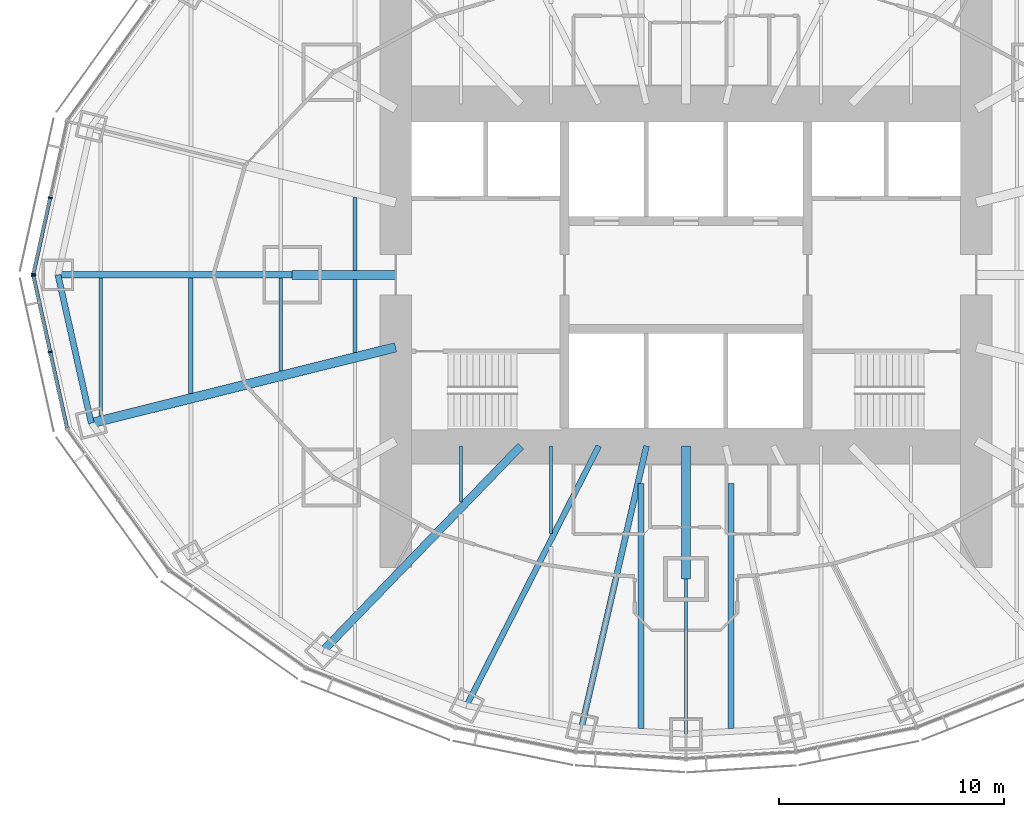
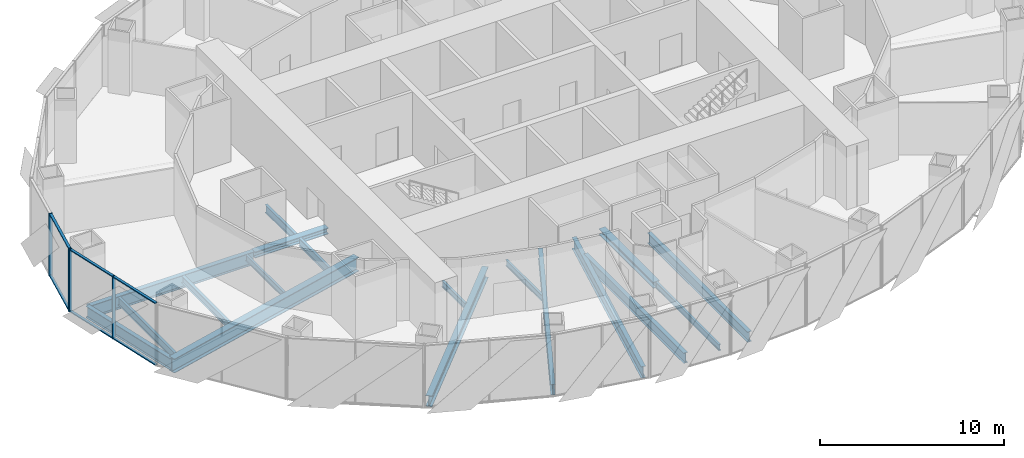
# One storey, part 3 of 18: 18 beams, 10 members, 2 elements without a shape of their own.
"""IFC4 building model written with IfcOpenShell, lengths in metres."""

from ifc_helpers import new_model, si_unit, direction, frame, origin, origin_2d, place, context, subcontext, project, spatial, rectangle, i_section, extrude, material, material_profile, profile_set, type_object, element, aggregate, save


model = new_model("IFC4")

# Units and contexts
model_context = context("Model", 3, precision=1e-05, world=origin(), true_north=direction((0.0, 1.0)))
body_context = subcontext(model_context, "Body", "Model", "MODEL_VIEW")
ifc_project = project(units=[si_unit("LENGTHUNIT", "METRE"), si_unit("AREAUNIT", "SQUARE_METRE"), si_unit("VOLUMEUNIT", "CUBIC_METRE"), si_unit("PLANEANGLEUNIT", "RADIAN"), si_unit("MASSUNIT", "GRAM", prefix="KILO")], contexts=[model_context])

# Site, building, storey
site_placement = place(None, origin())
site = spatial("IfcSite", under=ifc_project, at=site_placement, CompositionType="ELEMENT")
building_placement = place(site_placement, origin())
building = spatial("IfcBuilding", under=site, at=building_placement, Name="Lantaw Convention Tower", CompositionType="ELEMENT")
storey_placement = place(building_placement, frame((0.0, 0.0, 146.800048828125)))
storey = spatial("IfcBuildingStorey", under=building, at=storey_placement, Name="L34", CompositionType="ELEMENT", Elevation=146.800048828125)

# Beams
ifc_material_1 = material(Name="Steel ASTM A992", Category="steel")
ifc_material_profile_1 = material_profile(ifc_material_1, i_section(OverallWidth=0.2666015625, OverallDepth=0.76953125, WebThickness=0.015625, FlangeThickness=0.025390625, FilletRadius=0.0126953125, at=origin_2d()), Name="W30X132")
ifc_profile_set_1 = profile_set([ifc_material_profile_1], Name="Steel ASTM A992")
beam_type_1 = type_object("IfcBeamType", Name="Beam E W30X132", PredefinedType="SPANDREL", material=ifc_profile_set_1)
beam_1_placement = place(storey_placement, frame((-27.89990234375, 0.0, -0.534912109375), z_axis=(0.219211877447, -0.975677279015, 0.0), x_axis=(0.975677279015, 0.219211877447, 0.0)))
element("IfcBeam", 1, at=beam_1_placement, inside=storey, type_object=beam_type_1, Name="Edge beam 13", PredefinedType="SPANDREL", context=body_context, shape_type="SweptSolid", body=[
    extrude(i_section(OverallWidth=0.2666015625, OverallDepth=0.76953125, WebThickness=0.015625, FlangeThickness=0.025390625, FilletRadius=0.0126953125, at=origin_2d()), origin(), (0.0, 0.0, 1.0), 6.75146484375),
])
ifc_material_profile_2 = material_profile(ifc_material_1, i_section(OverallWidth=0.140380859375, OverallDepth=0.40380859375, WebThickness=0.007080078125, FlangeThickness=0.01123046875, FilletRadius=0.01025390625, at=origin_2d()), Name="W16X31")
ifc_profile_set_2 = profile_set([ifc_material_profile_2], Name="Steel ASTM A992")
beam_type_2 = type_object("IfcBeamType", Name="Beam G W16X31", PredefinedType="BEAM", material=ifc_profile_set_2)
beam_2_placement = place(storey_placement, frame((0.0, -13.5, -0.35205078125), z_axis=(0.0, -1.0, 0.0), x_axis=(1.0, 0.0, 0.0)))
element("IfcBeam", 2, at=beam_2_placement, inside=storey, type_object=beam_type_2, Name="Floor girder on ray 19", PredefinedType="BEAM", context=body_context, shape_type="SweptSolid", body=[
    extrude(i_section(OverallWidth=0.140380859375, OverallDepth=0.40380859375, WebThickness=0.007080078125, FlangeThickness=0.01123046875, FilletRadius=0.01025390625, at=origin_2d()), origin(), (0.0, 0.0, 1.0), 6.89990234375),
])
ifc_material_profile_3 = material_profile(ifc_material_1, i_section(OverallWidth=0.25390625, OverallDepth=0.700927734375, WebThickness=0.015380859375, FlangeThickness=0.02783203125, FilletRadius=0.01513671875, at=origin_2d()), Name="W27X129")
ifc_profile_set_3 = profile_set([ifc_material_profile_3], Name="Steel ASTM A992")
beam_type_3 = type_object("IfcBeamType", Name="Beam G W27X129", PredefinedType="BEAM", material=ifc_profile_set_3)
beam_3_placement = place(storey_placement, frame((-3.872314453125, -7.60009765625, -0.50048828125), z_axis=(-0.453991051051, -0.891006243281, 0.0), x_axis=(0.891006243281, -0.453991051051, 0.0)))
element("IfcBeam", 3, at=beam_3_placement, inside=storey, type_object=beam_type_3, Name="Floor girder on ray 17", PredefinedType="BEAM", context=body_context, shape_type="SweptSolid", body=[
    extrude(i_section(OverallWidth=0.25390625, OverallDepth=0.700927734375, WebThickness=0.015380859375, FlangeThickness=0.02783203125, FilletRadius=0.01513671875, at=origin_2d()), origin(), (0.0, 0.0, 1.0), 12.943359375),
])
ifc_material_profile_4 = material_profile(ifc_material_1, i_section(OverallWidth=0.360595703125, OverallDepth=0.72900390625, WebThickness=0.023193359375, FlangeThickness=0.041015625, FilletRadius=0.0126953125, at=origin_2d()), Name="W27X235")
ifc_profile_set_4 = profile_set([ifc_material_profile_4], Name="Steel ASTM A992")
beam_type_4 = type_object("IfcBeamType", Name="Beam G W27X235", PredefinedType="BEAM", material=ifc_profile_set_4)
beam_4_placement = place(storey_placement, frame((-7.33935546875, -7.60009765625, -0.5146484375), z_axis=(-0.694663467407, -0.719334878239, 0.0), x_axis=(0.719334878239, -0.694663467407, 0.0)))
element("IfcBeam", 4, at=beam_4_placement, inside=storey, type_object=beam_type_4, Name="Floor girder on ray 16", PredefinedType="BEAM", context=body_context, shape_type="SweptSolid", body=[
    extrude(i_section(OverallWidth=0.360595703125, OverallDepth=0.72900390625, WebThickness=0.023193359375, FlangeThickness=0.041015625, FilletRadius=0.0126953125, at=origin_2d()), origin(), (0.0, 0.0, 1.0), 12.63671875),
])
ifc_material_profile_5 = material_profile(ifc_material_1, i_section(OverallWidth=0.2666015625, OverallDepth=0.7568359375, WebThickness=0.013916015625, FlangeThickness=0.019287109375, FilletRadius=0.0126953125, at=origin_2d()), Name="W30X108")
ifc_profile_set_5 = profile_set([ifc_material_profile_5], Name="Steel ASTM A992")
beam_type_5 = type_object("IfcBeamType", Name="Beam G W30X108", PredefinedType="BEAM", material=ifc_profile_set_5)
beam_5_placement = place(storey_placement, frame((-1.754638671875, -7.60009765625, -0.528564453125), z_axis=(-0.224944153104, -0.974371658036, 0.0), x_axis=(0.974371658036, -0.224944153104, 0.0)))
element("IfcBeam", 5, at=beam_5_placement, inside=storey, type_object=beam_type_5, Name="Floor girder on ray 18", PredefinedType="BEAM", context=body_context, shape_type="SweptSolid", body=[
    extrude(i_section(OverallWidth=0.2666015625, OverallDepth=0.7568359375, WebThickness=0.013916015625, FlangeThickness=0.019287109375, FilletRadius=0.0126953125, at=origin_2d()), origin(), (0.0, 0.0, 1.0), 12.849365234375),
])
ifc_material_profile_6 = material_profile(ifc_material_1, i_section(OverallWidth=0.2919921875, OverallDepth=0.845703125, WebThickness=0.015380859375, FlangeThickness=0.0244140625, FilletRadius=0.01513671875, at=origin_2d()), Name="W33X141")
ifc_profile_set_6 = profile_set([ifc_material_profile_6], Name="Steel ASTM A992")
beam_type_6 = type_object("IfcBeamType", Name="Beam G W33X141", PredefinedType="BEAM", material=ifc_profile_set_6)
beam_6_placement = place(storey_placement, frame((-17.5, 0.0, -0.572998046875), z_axis=(-1.0, 0.0, 0.0), x_axis=(0.0, -1.0, 0.0)))
element("IfcBeam", 6, at=beam_6_placement, inside=storey, type_object=beam_type_6, Name="Floor girder on ray 13", PredefinedType="BEAM", context=body_context, shape_type="SweptSolid", body=[
    extrude(i_section(OverallWidth=0.2919921875, OverallDepth=0.845703125, WebThickness=0.015380859375, FlangeThickness=0.0244140625, FilletRadius=0.01513671875, at=origin_2d()), origin(), (0.0, 0.0, 1.0), 10.39990234375),
])
ifc_material_profile_7 = material_profile(ifc_material_1, i_section(OverallWidth=0.421630859375, OverallDepth=0.937255859375, WebThickness=0.0224609375, FlangeThickness=0.039794921875, FilletRadius=0.02001953125, at=origin_2d()), Name="W36X282")
ifc_profile_set_7 = profile_set([ifc_material_profile_7], Name="Steel ASTM A992")
beam_type_7 = type_object("IfcBeamType", Name="Beam G W36X282", PredefinedType="BEAM", material=ifc_profile_set_7)
beam_7_placement = place(storey_placement, frame((-12.89990234375, -3.21630859375, -0.61865234375), z_axis=(-0.970296903132, -0.24191717544, 0.0), x_axis=(0.24191717544, -0.970296903132, 0.0)))
element("IfcBeam", 7, at=beam_7_placement, inside=storey, type_object=beam_type_7, Name="Floor girder on ray 14", PredefinedType="BEAM", context=body_context, shape_type="SweptSolid", body=[
    extrude(i_section(OverallWidth=0.421630859375, OverallDepth=0.937255859375, WebThickness=0.0224609375, FlangeThickness=0.039794921875, FilletRadius=0.02001953125, at=origin_2d()), origin(), (0.0, 0.0, 1.0), 13.933837890625),
])
ifc_material_profile_8 = material_profile(ifc_material_1, i_section(OverallWidth=0.40380859375, OverallDepth=0.406494140625, WebThickness=0.027099609375, FlangeThickness=0.043701171875, FilletRadius=0.01513671875, at=origin_2d()), Name="W14X233")
ifc_profile_set_8 = profile_set([ifc_material_profile_8], Name="Steel ASTM A992")
beam_type_8 = type_object("IfcBeamType", Name="Beam GM W14X233", PredefinedType="BEAM", material=ifc_profile_set_8)
beam_8_placement = place(storey_placement, frame((-12.89990234375, 0.0, -0.353271484375), z_axis=(-1.0, 0.0, 0.0), x_axis=(0.0, -1.0, 0.0)))
element("IfcBeam", 8, at=beam_8_placement, inside=storey, type_object=beam_type_8, Name="Core link beam on ray 13", PredefinedType="BEAM", context=body_context, shape_type="SweptSolid", body=[
    extrude(i_section(OverallWidth=0.40380859375, OverallDepth=0.406494140625, WebThickness=0.027099609375, FlangeThickness=0.043701171875, FilletRadius=0.01513671875, at=origin_2d()), origin(), (0.0, 0.0, 1.0), 4.60009765625),
])
beam_9_placement = place(storey_placement, frame((0.0, -7.60009765625, -0.353271484375), z_axis=(0.0, -1.0, 0.0), x_axis=(1.0, 0.0, 0.0)))
element("IfcBeam", 9, at=beam_9_placement, inside=storey, type_object=beam_type_8, Name="Core link beam on ray 19", PredefinedType="BEAM", context=body_context, shape_type="SweptSolid", body=[
    extrude(i_section(OverallWidth=0.40380859375, OverallDepth=0.406494140625, WebThickness=0.027099609375, FlangeThickness=0.043701171875, FilletRadius=0.01513671875, at=origin_2d()), origin(), (0.0, 0.0, 1.0), 5.89990234375),
])
ifc_material_profile_9 = material_profile(ifc_material_1, i_section(OverallWidth=0.140380859375, OverallDepth=0.40380859375, WebThickness=0.007080078125, FlangeThickness=0.01123046875, FilletRadius=0.01025390625, at=origin_2d()), Name="W16X31")
ifc_profile_set_9 = profile_set([ifc_material_profile_9], Name="Steel ASTM A992")
beam_type_9 = type_object("IfcBeamType", Name="Beam J W16X31", PredefinedType="JOIST", material=ifc_profile_set_9)
beam_10_placement = place(storey_placement, frame((-18.0, -4.270751953125, -0.35205078125), z_axis=(0.0, 1.0, 0.0), x_axis=(-1.0, 0.0, 0.0)))
element("IfcBeam", 10, at=beam_10_placement, inside=storey, type_object=beam_type_9, Name="Floor joist", PredefinedType="JOIST", context=body_context, shape_type="SweptSolid", body=[
    extrude(i_section(OverallWidth=0.140380859375, OverallDepth=0.40380859375, WebThickness=0.007080078125, FlangeThickness=0.01123046875, FilletRadius=0.01025390625, at=origin_2d()), origin(), (0.0, 0.0, 1.0), 4.124755859375),
])
beam_11_placement = place(storey_placement, frame((-10.0, -10.095703125, -0.35205078125), z_axis=(0.0, 1.0, 0.0), x_axis=(-1.0, 0.0, 0.0)))
element("IfcBeam", 11, at=beam_11_placement, inside=storey, type_object=beam_type_9, Name="Floor joist", PredefinedType="JOIST", context=body_context, shape_type="SweptSolid", body=[
    extrude(i_section(OverallWidth=0.140380859375, OverallDepth=0.40380859375, WebThickness=0.007080078125, FlangeThickness=0.01123046875, FilletRadius=0.01025390625, at=origin_2d()), origin(), (0.0, 0.0, 1.0), 2.49560546875),
])
beam_12_placement = place(storey_placement, frame((-6.0, -11.495849609375, -0.35205078125), z_axis=(0.0, 1.0, 0.0), x_axis=(-1.0, 0.0, 0.0)))
element("IfcBeam", 12, at=beam_12_placement, inside=storey, type_object=beam_type_9, Name="Floor joist", PredefinedType="JOIST", context=body_context, shape_type="SweptSolid", body=[
    extrude(i_section(OverallWidth=0.140380859375, OverallDepth=0.40380859375, WebThickness=0.007080078125, FlangeThickness=0.01123046875, FilletRadius=0.01025390625, at=origin_2d()), origin(), (0.0, 0.0, 1.0), 3.895751953125),
])
ifc_material_profile_10 = material_profile(ifc_material_1, i_section(OverallWidth=0.1904296875, OverallDepth=0.457275390625, WebThickness=0.009033203125, FlangeThickness=0.014404296875, FilletRadius=0.01025390625, at=origin_2d()), Name="W18X50")
ifc_profile_set_10 = profile_set([ifc_material_profile_10], Name="Steel ASTM A992")
beam_type_10 = type_object("IfcBeamType", Name="Beam J W18X50", PredefinedType="JOIST", material=ifc_profile_set_10)
beam_13_placement = place(storey_placement, frame((-22.0, -5.267822265625, -0.378662109375), z_axis=(0.0, 1.0, 0.0), x_axis=(-1.0, 0.0, 0.0)))
element("IfcBeam", 13, at=beam_13_placement, inside=storey, type_object=beam_type_10, Name="Floor joist", PredefinedType="JOIST", context=body_context, shape_type="SweptSolid", body=[
    extrude(i_section(OverallWidth=0.1904296875, OverallDepth=0.457275390625, WebThickness=0.009033203125, FlangeThickness=0.014404296875, FilletRadius=0.01025390625, at=origin_2d()), origin(), (0.0, 0.0, 1.0), 5.121826171875),
])
ifc_material_profile_11 = material_profile(ifc_material_1, i_section(OverallWidth=0.1650390625, OverallDepth=0.52587890625, WebThickness=0.0087890625, FlangeThickness=0.011474609375, FilletRadius=0.0126953125, at=origin_2d()), Name="W21X44")
ifc_profile_set_11 = profile_set([ifc_material_profile_11], Name="Steel ASTM A992")
beam_type_11 = type_object("IfcBeamType", Name="Beam J W21X44", PredefinedType="JOIST", material=ifc_profile_set_11)
beam_14_placement = place(storey_placement, frame((-26.0, -6.26513671875, -0.412841796875), z_axis=(0.0, 1.0, 0.0), x_axis=(-1.0, 0.0, 0.0)))
element("IfcBeam", 14, at=beam_14_placement, inside=storey, type_object=beam_type_11, Name="Floor joist", PredefinedType="JOIST", context=body_context, shape_type="SweptSolid", body=[
    extrude(i_section(OverallWidth=0.1650390625, OverallDepth=0.52587890625, WebThickness=0.0087890625, FlangeThickness=0.011474609375, FilletRadius=0.0126953125, at=origin_2d()), origin(), (0.0, 0.0, 1.0), 6.119140625),
])
ifc_material_profile_12 = material_profile(ifc_material_1, i_section(OverallWidth=0.165771484375, OverallDepth=0.5283203125, WebThickness=0.009765625, FlangeThickness=0.013671875, FilletRadius=0.012939453125, at=origin_2d()), Name="W21X50")
ifc_profile_set_12 = profile_set([ifc_material_profile_12], Name="Steel ASTM A992")
beam_type_12 = type_object("IfcBeamType", Name="Beam J W21X50", PredefinedType="JOIST", material=ifc_profile_set_12)
for number, where, z_axis, x_axis, name in (
    (15, (-14.699951171875, -3.44775390625, -0.414306640625), (0.0, 1.0, 0.0), (-1.0, 0.0, 0.0), "Floor joist"),
    (16, (-14.699951171875, 0.201904296875, -0.414306640625), (0.0, 1.0, 0.0), (-1.0, 0.0, 0.0), "Floor joist"),
):
    element("IfcBeam", number, at=place(storey_placement, frame(where, z_axis=z_axis, x_axis=x_axis)), inside=storey, type_object=beam_type_12, Name=name, PredefinedType="JOIST", context=body_context, shape_type="SweptSolid", body=[
        extrude(i_section(OverallWidth=0.165771484375, OverallDepth=0.5283203125, WebThickness=0.009765625, FlangeThickness=0.013671875, FilletRadius=0.012939453125, at=origin_2d()), origin(), (0.0, 0.0, 1.0), 3.245849609375),
    ])
ifc_material_profile_13 = material_profile(ifc_material_1, i_section(OverallWidth=0.25390625, OverallDepth=0.683349609375, WebThickness=0.012451171875, FlangeThickness=0.01904296875, FilletRadius=0.01513671875, at=origin_2d()), Name="W27X94")
ifc_profile_set_13 = profile_set([ifc_material_profile_13], Name="Steel ASTM A992")
beam_type_13 = type_object("IfcBeamType", Name="Beam J W27X94", PredefinedType="JOIST", material=ifc_profile_set_13)
for number, where, z_axis, x_axis, name in (
    (17, (-2.0, -20.145751953125, -0.49169921875), (0.0, 1.0, 0.0), (-1.0, 0.0, 0.0), "Floor joist"),
    (18, (2.0, -20.145751953125, -0.49169921875), (0.0, 1.0, 0.0), (-1.0, 0.0, 0.0), "Floor joist"),
):
    element("IfcBeam", number, at=place(storey_placement, frame(where, z_axis=z_axis, x_axis=x_axis)), inside=storey, type_object=beam_type_13, Name=name, PredefinedType="JOIST", context=body_context, shape_type="SweptSolid", body=[
        extrude(i_section(OverallWidth=0.25390625, OverallDepth=0.683349609375, WebThickness=0.012451171875, FlangeThickness=0.01904296875, FilletRadius=0.01513671875, at=origin_2d()), origin(), (0.0, 0.0, 1.0), 10.889892578125),
    ])

# Curtain wall, members
ifc_material_2 = material(Name="Aluminium framed curtain wall", Category="aluminium")
curtain_wall_type = type_object("IfcCurtainWallType", Name="Office curtain wall low rise, pale aluminium", PredefinedType="USERDEFINED", material=ifc_material_2)
curtain_wall_1_placement = place(storey_placement, origin())
curtain_wall_1 = element("IfcCurtainWall", 19, at=curtain_wall_1_placement, inside=storey, type_object=curtain_wall_type, Name="Office curtain wall low rise, pale aluminium L34", ObjectType="UNITISED CURTAIN WALL", PredefinedType="USERDEFINED")
ifc_material_3 = material(Name="Aluminium 6063-T6", Category="aluminium")
ifc_material_profile_14 = material_profile(ifc_material_3, rectangle(XDim=0.199951171875, YDim=0.06494140625, at=origin_2d()), Name="CW-O1 mullion 65x200")
ifc_profile_set_14 = profile_set([ifc_material_profile_14], Name="Aluminium 6063-T6")
member_type_1 = type_object("IfcMemberType", Name="CW-O1 mullion 65x200", PredefinedType="MULLION", material=ifc_profile_set_14)
member_1_placement = place(storey_placement, frame((-28.24365234375, 3.4267578125, -0.150146484375), z_axis=(0.0, 0.0, 1.0), x_axis=(0.9764936509, -0.215546166174, 0.0)))
member_1 = element("IfcMember", 20, at=member_1_placement, type_object=member_type_1, Name="CW-O1 mullion 2", PredefinedType="MULLION", context=body_context, shape_type="SweptSolid", body=[
    extrude(rectangle(XDim=0.199951171875, YDim=0.06494140625, at=origin_2d()), origin(), (0.0, 0.0, 1.0), 4.150146484375),
])
member_2_placement = place(storey_placement, frame((-28.992919921875, 0.03173828125, -0.150146484375), z_axis=(0.0, 0.0, 1.0), x_axis=(0.9764936509, -0.215546166174, 0.0)))
member_2 = element("IfcMember", 21, at=member_2_placement, type_object=member_type_1, Name="CW-O1 mullion 3", PredefinedType="MULLION", context=body_context, shape_type="SweptSolid", body=[
    extrude(rectangle(XDim=0.199951171875, YDim=0.06494140625, at=origin_2d()), origin(), (0.0, 0.0, 1.0), 4.150146484375),
])

curtain_wall_2_placement = place(storey_placement, origin())
curtain_wall_2 = element("IfcCurtainWall", 22, at=curtain_wall_2_placement, inside=storey, type_object=curtain_wall_type, Name="Office curtain wall low rise, pale aluminium L34", ObjectType="UNITISED CURTAIN WALL", PredefinedType="USERDEFINED")
member_3_placement = place(storey_placement, frame((-28.992919921875, -0.03173828125, -0.150146484375), z_axis=(0.0, 0.0, 1.0), x_axis=(0.9764936509, 0.215546166174, 0.0)))
member_3 = element("IfcMember", 23, at=member_3_placement, type_object=member_type_1, Name="CW-O1 mullion 1", PredefinedType="MULLION", context=body_context, shape_type="SweptSolid", body=[
    extrude(rectangle(XDim=0.199951171875, YDim=0.06494140625, at=origin_2d()), origin(), (0.0, 0.0, 1.0), 4.150146484375),
])
member_4_placement = place(storey_placement, frame((-28.24365234375, -3.4267578125, -0.150146484375), z_axis=(0.0, 0.0, 1.0), x_axis=(0.9764936509, 0.215546166174, 0.0)))
member_4 = element("IfcMember", 24, at=member_4_placement, type_object=member_type_1, Name="CW-O1 mullion 2", PredefinedType="MULLION", context=body_context, shape_type="SweptSolid", body=[
    extrude(rectangle(XDim=0.199951171875, YDim=0.06494140625, at=origin_2d()), origin(), (0.0, 0.0, 1.0), 4.150146484375),
])

# Member
ifc_material_profile_15 = material_profile(ifc_material_3, rectangle(XDim=0.159912109375, YDim=0.06494140625, at=origin_2d()), Name="CW-O1 transom 65x160")
ifc_profile_set_15 = profile_set([ifc_material_profile_15], Name="Aluminium 6063-T6")
member_type_2 = type_object("IfcMemberType", Name="CW-O1 transom 65x160", PredefinedType="USERDEFINED", material=ifc_profile_set_15)
member_5_placement = place(storey_placement, frame((-28.250732421875, 3.39501953125, -0.117431640625), z_axis=(-0.215536096386, -0.976495873598, 0.0), x_axis=(0.976495873598, -0.215536096386, 0.0)))
member_5 = element("IfcMember", 25, at=member_5_placement, type_object=member_type_2, Name="CW-O1 transom 2.1", ObjectType="TRANSOM", PredefinedType="USERDEFINED", context=body_context, shape_type="SweptSolid", body=[
    extrude(rectangle(XDim=0.159912109375, YDim=0.06494140625, at=origin_2d()), origin(), (0.0, 0.0, 1.0), 3.41162109375),
])

member_6_placement = place(storey_placement, frame((-28.250732421875, 3.39501953125, 3.967529296875), z_axis=(-0.215536096386, -0.976495873598, 0.0), x_axis=(0.976495873598, -0.215536096386, 0.0)))
member_6 = element("IfcMember", 26, at=member_6_placement, type_object=member_type_2, Name="CW-O1 transom 2.2", ObjectType="TRANSOM", PredefinedType="USERDEFINED", context=body_context, shape_type="SweptSolid", body=[
    extrude(rectangle(XDim=0.159912109375, YDim=0.06494140625, at=origin_2d()), origin(), (0.0, 0.0, 1.0), 3.41162109375),
])

aggregate(curtain_wall_1, [member_1, member_2, member_5, member_6])

member_7_placement = place(storey_placement, frame((-28.986083984375, -0.0634765625, -0.117431640625), z_axis=(0.215536096386, -0.976495873598, 0.0), x_axis=(0.976495873598, 0.215536096386, 0.0)))
member_7 = element("IfcMember", 27, at=member_7_placement, type_object=member_type_2, Name="CW-O1 transom 1.1", ObjectType="TRANSOM", PredefinedType="USERDEFINED", context=body_context, shape_type="SweptSolid", body=[
    extrude(rectangle(XDim=0.159912109375, YDim=0.06494140625, at=origin_2d()), origin(), (0.0, 0.0, 1.0), 3.41162109375),
])

member_8_placement = place(storey_placement, frame((-28.986083984375, -0.0634765625, 3.967529296875), z_axis=(0.215536096386, -0.976495873598, 0.0), x_axis=(0.976495873598, 0.215536096386, 0.0)))
member_8 = element("IfcMember", 28, at=member_8_placement, type_object=member_type_2, Name="CW-O1 transom 1.2", ObjectType="TRANSOM", PredefinedType="USERDEFINED", context=body_context, shape_type="SweptSolid", body=[
    extrude(rectangle(XDim=0.159912109375, YDim=0.06494140625, at=origin_2d()), origin(), (0.0, 0.0, 1.0), 3.41162109375),
])

member_9_placement = place(storey_placement, frame((-28.236572265625, -3.45849609375, -0.117431640625), z_axis=(0.21555115847, -0.976492548913, 0.0), x_axis=(0.976492548913, 0.21555115847, 0.0)))
member_9 = element("IfcMember", 29, at=member_9_placement, type_object=member_type_2, Name="CW-O1 transom 2.1", ObjectType="TRANSOM", PredefinedType="USERDEFINED", context=body_context, shape_type="SweptSolid", body=[
    extrude(rectangle(XDim=0.159912109375, YDim=0.06494140625, at=origin_2d()), origin(), (0.0, 0.0, 1.0), 3.411376953125),
])

member_10_placement = place(storey_placement, frame((-28.236572265625, -3.45849609375, 3.967529296875), z_axis=(0.21555115847, -0.976492548913, 0.0), x_axis=(0.976492548913, 0.21555115847, 0.0)))
member_10 = element("IfcMember", 30, at=member_10_placement, type_object=member_type_2, Name="CW-O1 transom 2.2", ObjectType="TRANSOM", PredefinedType="USERDEFINED", context=body_context, shape_type="SweptSolid", body=[
    extrude(rectangle(XDim=0.159912109375, YDim=0.06494140625, at=origin_2d()), origin(), (0.0, 0.0, 1.0), 3.411376953125),
])

aggregate(curtain_wall_2, [member_3, member_4, member_7, member_8, member_9, member_10])

save(model, "model.ifc")
